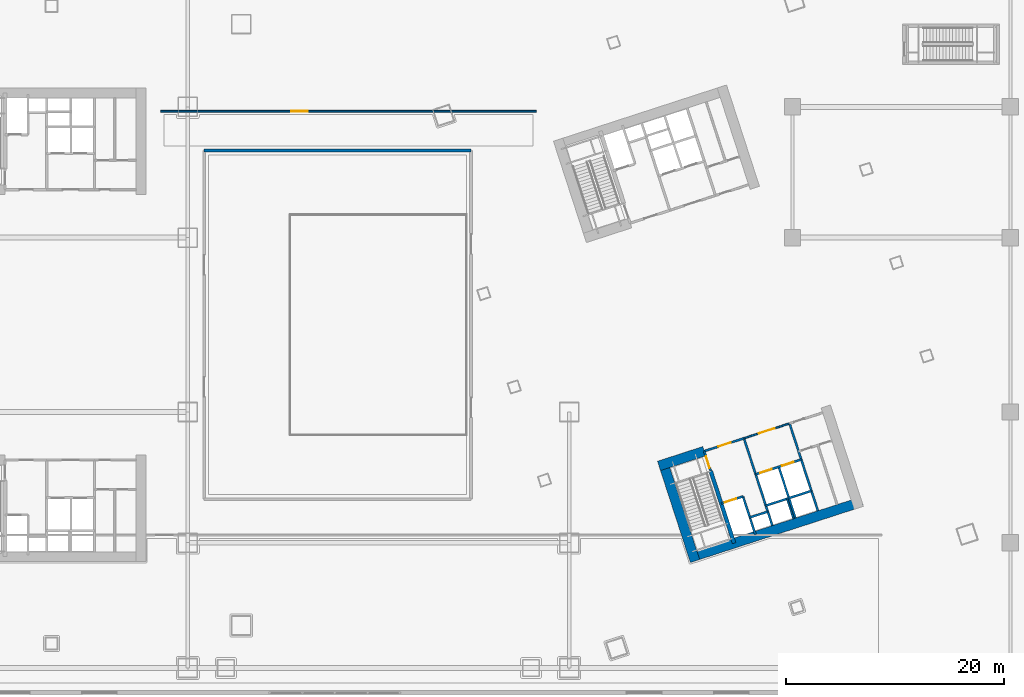
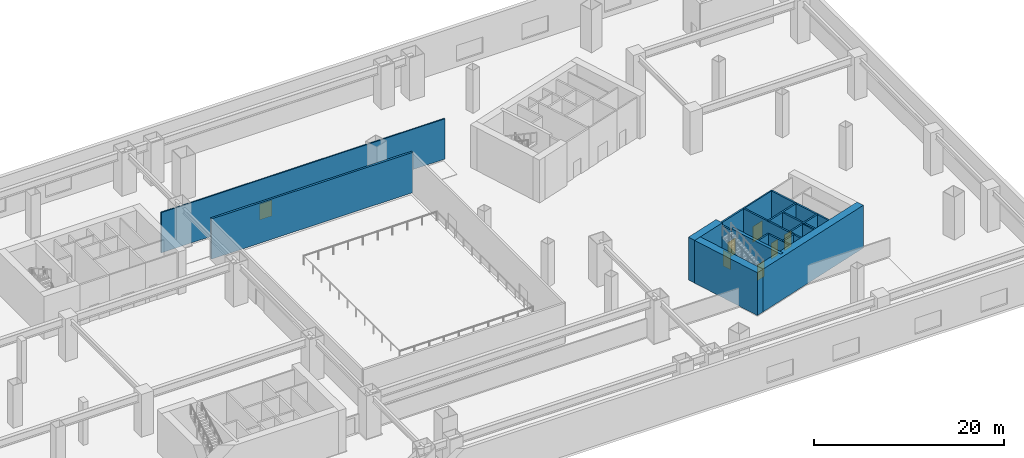
# One storey, part 26 of 35: 18 walls, 7 doors, 7 openings.
"""IFC4 building model written with IfcOpenShell, lengths in metres."""

from ifc_helpers import new_model, si_unit, direction, frame, frame_2d, origin, place, context, subcontext, project, spatial, rectangle, extrude, material, layer, layer_set, type_object, element, fill, save


model = new_model("IFC4")

# Units and contexts
model_context = context("Model", 3, precision=1e-05, world=origin(), true_north=direction((0.0, 1.0)))
body_context = subcontext(model_context, "Body", "Model", "MODEL_VIEW")
ifc_project = project(units=[si_unit("LENGTHUNIT", "METRE"), si_unit("AREAUNIT", "SQUARE_METRE"), si_unit("VOLUMEUNIT", "CUBIC_METRE"), si_unit("PLANEANGLEUNIT", "RADIAN"), si_unit("MASSUNIT", "GRAM", prefix="KILO")], contexts=[model_context])

# Site, building, storey
site_placement = place(None, origin())
site = spatial("IfcSite", under=ifc_project, at=site_placement, CompositionType="ELEMENT")
building_placement = place(site_placement, origin())
building = spatial("IfcBuilding", under=site, at=building_placement, Name="Qiaolan Cultural Towers", CompositionType="ELEMENT")
storey_placement = place(building_placement, frame((0.0, 0.0, 6.0)))
storey = spatial("IfcBuildingStorey", under=building, at=storey_placement, Name="L01", CompositionType="ELEMENT", Elevation=6.0)

# Walls
ifc_material_1 = material(Name="Concrete C50", Category="concrete")
ifc_layer_1 = layer(ifc_material_1, 0.35009765625)
ifc_layer_set_1 = layer_set([ifc_layer_1], Name="Concrete C50")
wall_type_1 = type_object("IfcWallType", Name="WL-CORE-350", PredefinedType="SHEAR", material=ifc_layer_set_1)
wall_1_placement = place(storey_placement, frame((90.486328125, 20.59423828125, 0.0), z_axis=(0.0, 0.0, 1.0), x_axis=(0.309020428229, -0.951055400562, 0.0)))
element("IfcWall", 1, at=wall_1_placement, inside=storey, type_object=wall_type_1, Name="L01 T2-CS Stair Core Dividing Web", PredefinedType="SHEAR", context=body_context, shape_type="SweptSolid", body=[
    extrude(rectangle(XDim=6.97998046875, YDim=0.35009765625, at=frame_2d((3.489990234375, 0.0))), origin(), (0.0, 0.0, 1.0), 5.5),
])
ifc_material_2 = material(Name="Concrete C60", Category="concrete")
ifc_layer_2 = layer(ifc_material_2, 0.89990234375)
ifc_layer_set_2 = layer_set([ifc_layer_2], Name="Concrete C60")
wall_type_2 = type_object("IfcWallType", Name="WL-CORE-900", PredefinedType="SHEAR", material=ifc_layer_set_2)
wall_2_placement = place(storey_placement, frame((88.4873046875, 12.60546875, 0.0), z_axis=(0.0, 0.0, 1.0), x_axis=(0.951055016115, 0.309021611416, 0.0)))
element("IfcWall", 2, at=wall_2_placement, inside=storey, type_object=wall_type_2, Name="L01 T2-CS Outer Core Shear Wall", PredefinedType="SHEAR", context=body_context, shape_type="SweptSolid", body=[
    extrude(rectangle(XDim=16.699951171875, YDim=0.89990234375, at=frame_2d((8.35009765625, 0.0))), origin(), (0.0, 0.0, 1.0), 5.5),
])
wall_3_placement = place(storey_placement, frame((86.031982421875, 21.617919921875, 0.0), z_axis=(0.0, 0.0, 1.0), x_axis=(0.30901438634, -0.951057363693, 0.0)))
element("IfcWall", 3, at=wall_3_placement, inside=storey, type_object=wall_type_2, Name="L01 T2-CS West Core Shear Wall", PredefinedType="SHEAR", context=body_context, shape_type="SweptSolid", body=[
    extrude(rectangle(XDim=9.7802734375, YDim=0.89990234375, at=frame_2d((4.89013671875, 0.0))), origin(), (0.0, 0.0, 1.0), 5.5),
])
wall_4_placement = place(storey_placement, frame((85.7431640625, 21.05078125, 0.0), z_axis=(0.0, 0.0, 1.0), x_axis=(0.951063623806, 0.308995118848, 0.0)))
element("IfcWall", 4, at=wall_4_placement, inside=storey, type_object=wall_type_2, Name="L01 T2-CS Stair Front Shear Wall", PredefinedType="SHEAR", context=body_context, shape_type="SweptSolid", body=[
    extrude(rectangle(XDim=4.3701171875, YDim=0.89990234375, at=frame_2d((2.18505859375, 0.0))), origin(), (0.0, 0.0, 1.0), 5.5),
])

# Wall, opening, door
ifc_material_3 = material(Name="Concrete C35 Fire Wall", Category="concrete")
ifc_layer_3 = layer(ifc_material_3, 0.199951171875)
ifc_layer_set_3 = layer_set([ifc_layer_3], Name="Concrete C35 Fire Wall")
wall_type_3 = type_object("IfcWallType", Name="WL-FIRE-200", PredefinedType="PARTITIONING", material=ifc_layer_set_3)
wall_5_placement = place(storey_placement, frame((89.8994140625, 22.401123046875, 0.0), z_axis=(0.0, 0.0, 1.0), x_axis=(0.308932062672, -0.951084108086, 0.0)))
wall_5 = element("IfcWall", 5, at=wall_5_placement, inside=storey, type_object=wall_type_3, Name="L01 T2-CS Smokeproof Stair Entry Wall", PredefinedType="PARTITIONING", context=body_context, shape_type="SweptSolid", body=[
    extrude(rectangle(XDim=1.89990234375, YDim=0.199951171875, at=frame_2d((0.949951171875, 0.0))), origin(), (0.0, 0.0, 1.0), 5.18505859375),
])
opening_1_placement = place(wall_5_placement, frame((0.52001953125, 0.0, 0.0)))
opening_1 = element("IfcOpeningElement", 6, at=opening_1_placement, cuts=wall_5, Name="Opening FD-04", PredefinedType="OPENING", context=body_context, shape_type="SweptSolid", body=[
    extrude(rectangle(XDim=1.10009765625, YDim=2.050048828125, at=frame_2d((0.550048828125, 1.02490234375))), frame((0.0, 0.10986328125, 0.0), z_axis=(0.0, -1.0, 0.0), x_axis=(1.0, 0.0, 0.0)), (0.0, 0.0, 1.0), 0.219970703125),
])
ifc_material_4 = material(Name="Galvanized Steel Command Fire Door", Category="steel")
door_type_1 = type_object("IfcDoorType", Name="DR-FD90-1100", OperationType="NOTDEFINED", PredefinedType="DOOR", material=ifc_material_4)
door_1_placement = place(opening_1_placement, origin())
door_1 = element("IfcDoor", 7, at=door_1_placement, inside=storey, type_object=door_type_1, Name="L01 ST-E1 Smokeproof Stair Fire Door", OperationType="SINGLE_SWING_LEFT", OverallHeight=2.050048828125, OverallWidth=1.10009765625, PredefinedType="DOOR", context=body_context, shape_type="SweptSolid", body=[
    extrude(rectangle(XDim=1.10009765625, YDim=2.050048828125, at=frame_2d((0.550048828125, 1.02490234375))), frame((0.0, 0.02490234375, 0.0), z_axis=(0.0, -1.0, 0.0), x_axis=(1.0, 0.0, 0.0)), (0.0, 0.0, 1.0), 0.050048828125),
])
fill(opening_1, door_1)

# Wall
wall_6_placement = place(storey_placement, frame((93.541748046875, 23.584716796875, 0.0), z_axis=(0.0, 0.0, 1.0), x_axis=(0.309042196757, -0.951048327176, 0.0)))
element("IfcWall", 8, at=wall_6_placement, inside=storey, type_object=wall_type_3, Name="L01 T2-CS Firefighting Zone Wall", PredefinedType="PARTITIONING", context=body_context, shape_type="SweptSolid", body=[
    extrude(rectangle(XDim=8.429931640625, YDim=0.199951171875, at=frame_2d((4.21484375, 0.0))), origin(), (0.0, 0.0, 1.0), 5.18505859375),
])

# Wall, opening, door
wall_7_placement = place(storey_placement, frame((89.8994140625, 22.401123046875, 0.0), z_axis=(0.0, 0.0, 1.0), x_axis=(0.951046716504, 0.309047153403, 0.0)))
wall_7 = element("IfcWall", 9, at=wall_7_placement, inside=storey, type_object=wall_type_3, Name="L01 T2-CS Firefighting Lobby Front Wall", PredefinedType="PARTITIONING", context=body_context, shape_type="SweptSolid", body=[
    extrude(rectangle(XDim=3.829833984375, YDim=0.199951171875, at=frame_2d((1.9150390625, 0.0))), origin(), (0.0, 0.0, 1.0), 5.18505859375),
])
opening_2_placement = place(wall_7_placement, frame((1.35009765625, 0.0, 0.0)))
opening_2 = element("IfcOpeningElement", 10, at=opening_2_placement, cuts=wall_7, Name="Opening FD-03", PredefinedType="OPENING", context=body_context, shape_type="SweptSolid", body=[
    extrude(rectangle(XDim=1.199951171875, YDim=2.050048828125, at=frame_2d((0.60009765625, 1.02490234375))), frame((0.0, 0.10986328125, 0.0), z_axis=(0.0, -1.0, 0.0), x_axis=(1.0, 0.0, 0.0)), (0.0, 0.0, 1.0), 0.219970703125),
])
ifc_material_5 = material(Name="Galvanized Steel Smokeproof Lobby Fire Door", Category="steel")
door_type_2 = type_object("IfcDoorType", Name="DR-FD90-1200", OperationType="NOTDEFINED", PredefinedType="DOOR", material=ifc_material_5)
door_2_placement = place(opening_2_placement, origin())
door_2 = element("IfcDoor", 11, at=door_2_placement, inside=storey, type_object=door_type_2, Name="L01 FFL-E1 Firefighting Lobby Fire Door", OperationType="SINGLE_SWING_LEFT", OverallHeight=2.050048828125, OverallWidth=1.199951171875, PredefinedType="DOOR", context=body_context, shape_type="SweptSolid", body=[
    extrude(rectangle(XDim=1.199951171875, YDim=2.050048828125, at=frame_2d((0.60009765625, 1.02490234375))), frame((0.0, 0.02490234375, 0.0), z_axis=(0.0, -1.0, 0.0), x_axis=(1.0, 0.0, 0.0)), (0.0, 0.0, 1.0), 0.050048828125),
])
fill(opening_2, door_2)

wall_8_placement = place(storey_placement, frame((91.459716796875, 17.598388671875, 0.0), z_axis=(0.0, 0.0, 1.0), x_axis=(0.951062257173, 0.308999325213, 0.0)))
wall_8 = element("IfcWall", 12, at=wall_8_placement, inside=storey, type_object=wall_type_3, Name="L01 T2-CS Firefighting Shaft Front Wall", PredefinedType="PARTITIONING", context=body_context, shape_type="SweptSolid", body=[
    extrude(rectangle(XDim=2.10009765625, YDim=0.199951171875, at=frame_2d((1.050048828125, 0.0))), origin(), (0.0, 0.0, 1.0), 5.18505859375),
])
opening_3_placement = place(wall_8_placement, frame((0.35009765625, 0.0, 0.0)))
opening_3 = element("IfcOpeningElement", 13, at=opening_3_placement, cuts=wall_8, Name="Opening LD-01", PredefinedType="OPENING", context=body_context, shape_type="SweptSolid", body=[
    extrude(rectangle(XDim=1.10009765625, YDim=2.050048828125, at=frame_2d((0.550048828125, 1.02490234375))), frame((0.0, 0.10986328125, 0.0), z_axis=(0.0, -1.0, 0.0), x_axis=(1.0, 0.0, 0.0)), (0.0, 0.0, 1.0), 0.219970703125),
])
ifc_material_6 = material(Name="Brushed Stainless Steel S30408 Centre-Parting Lift Landing Door", Category="steel")
door_type_3 = type_object("IfcDoorType", Name="DR-LIFT-1100", OperationType="NOTDEFINED", PredefinedType="DOOR", material=ifc_material_6)
door_3_placement = place(opening_3_placement, origin())
door_3 = element("IfcDoor", 14, at=door_3_placement, inside=storey, type_object=door_type_3, Name="L01 FFL-E1 Firefighting Lift Landing Door", OperationType="DOUBLE_DOOR_SLIDING", OverallHeight=2.050048828125, OverallWidth=1.10009765625, PredefinedType="DOOR", context=body_context, shape_type="SweptSolid", body=[
    extrude(rectangle(XDim=1.10009765625, YDim=2.050048828125, at=frame_2d((0.550048828125, 1.02490234375))), frame((0.0, 0.02490234375, 0.0), z_axis=(0.0, -1.0, 0.0), x_axis=(1.0, 0.0, 0.0)), (0.0, 0.0, 1.0), 0.050048828125),
])
fill(opening_3, door_3)

# Walls
wall_9_placement = place(storey_placement, frame((93.45703125, 18.247314453125, 0.0), z_axis=(0.0, 0.0, 1.0), x_axis=(0.3089935693, -0.951064127245, 0.0)))
element("IfcWall", 15, at=wall_9_placement, inside=storey, type_object=wall_type_3, Name="L01 T2-CS Firefighting Hoistway East Wall", PredefinedType="PARTITIONING", context=body_context, shape_type="SweptSolid", body=[
    extrude(rectangle(XDim=3.7001953125, YDim=0.199951171875, at=frame_2d((1.85009765625, 0.0))), origin(), (0.0, 0.0, 1.0), 5.18505859375),
])
wall_10_placement = place(storey_placement, frame((94.08447265625, 16.316650390625, 0.0), z_axis=(0.0, 0.0, 1.0), x_axis=(0.951041328149, 0.309063734775, 0.0)))
element("IfcWall", 16, at=wall_10_placement, inside=storey, type_object=wall_type_3, Name="L01 T2-CS Pressurization Shaft Front Wall", PredefinedType="PARTITIONING", context=body_context, shape_type="SweptSolid", body=[
    extrude(rectangle(XDim=1.72998046875, YDim=0.199951171875, at=frame_2d((0.864990234375, 0.0))), origin(), (0.0, 0.0, 1.0), 5.18505859375),
])
wall_11_placement = place(storey_placement, frame((97.7265625, 24.9443359375, 0.0), z_axis=(0.0, 0.0, 1.0), x_axis=(0.309016001439, -0.951056838919, 0.0)))
element("IfcWall", 17, at=wall_11_placement, inside=storey, type_object=wall_type_3, Name="L01 T2-CS Lift Core East Wall", PredefinedType="PARTITIONING", context=body_context, shape_type="SweptSolid", body=[
    extrude(rectangle(XDim=8.429931640625, YDim=0.199951171875, at=frame_2d((4.21484375, 0.0))), origin(), (0.0, 0.0, 1.0), 5.18505859375),
])

# Wall, openings, doors
wall_12_placement = place(storey_placement, frame((94.6171875, 20.275146484375, 0.0), z_axis=(0.0, 0.0, 1.0), x_axis=(0.951058531764, 0.30901079133, 0.0)))
wall_12 = element("IfcWall", 18, at=wall_12_placement, inside=storey, type_object=wall_type_3, Name="L01 T2-CS Passenger Lift Shaft Front Wall", PredefinedType="PARTITIONING", context=body_context, shape_type="SweptSolid", body=[
    extrude(rectangle(XDim=4.39990234375, YDim=0.199951171875, at=frame_2d((2.199951171875, 0.0))), origin(), (0.0, 0.0, 1.0), 5.18505859375),
])
opening_4_placement = place(wall_12_placement, frame((0.449951171875, 0.0, 0.0)))
opening_4 = element("IfcOpeningElement", 19, at=opening_4_placement, cuts=wall_12, Name="Opening LD-01", PredefinedType="OPENING", context=body_context, shape_type="SweptSolid", body=[
    extrude(rectangle(XDim=1.10009765625, YDim=2.050048828125, at=frame_2d((0.550048828125, 1.02490234375))), frame((0.0, 0.10986328125, 0.0), z_axis=(0.0, -1.0, 0.0), x_axis=(1.0, 0.0, 0.0)), (0.0, 0.0, 1.0), 0.219970703125),
])
opening_5_placement = place(wall_12_placement, frame((2.550048828125, 0.0, 0.0)))
opening_5 = element("IfcOpeningElement", 20, at=opening_5_placement, cuts=wall_12, Name="Opening LD-01", PredefinedType="OPENING", context=body_context, shape_type="SweptSolid", body=[
    extrude(rectangle(XDim=1.10009765625, YDim=2.050048828125, at=frame_2d((0.550048828125, 1.02490234375))), frame((0.0, 0.10986328125, 0.0), z_axis=(0.0, -1.0, 0.0), x_axis=(1.0, 0.0, 0.0)), (0.0, 0.0, 1.0), 0.219970703125),
])
door_4_placement = place(opening_4_placement, origin())
door_4 = element("IfcDoor", 21, at=door_4_placement, inside=storey, type_object=door_type_3, Name="L01 Passenger Lift 1 Landing Door", OperationType="DOUBLE_DOOR_SLIDING", OverallHeight=2.050048828125, OverallWidth=1.10009765625, PredefinedType="DOOR", context=body_context, shape_type="SweptSolid", body=[
    extrude(rectangle(XDim=1.10009765625, YDim=2.050048828125, at=frame_2d((0.550048828125, 1.02490234375))), frame((0.0, 0.02490234375, 0.0), z_axis=(0.0, -1.0, 0.0), x_axis=(1.0, 0.0, 0.0)), (0.0, 0.0, 1.0), 0.050048828125),
])
fill(opening_4, door_4)
door_5_placement = place(opening_5_placement, origin())
door_5 = element("IfcDoor", 22, at=door_5_placement, inside=storey, type_object=door_type_3, Name="L01 Passenger Lift 2 Landing Door", OperationType="DOUBLE_DOOR_SLIDING", OverallHeight=2.050048828125, OverallWidth=1.10009765625, PredefinedType="DOOR", context=body_context, shape_type="SweptSolid", body=[
    extrude(rectangle(XDim=1.10009765625, YDim=2.050048828125, at=frame_2d((0.550048828125, 1.02490234375))), frame((0.0, 0.02490234375, 0.0), z_axis=(0.0, -1.0, 0.0), x_axis=(1.0, 0.0, 0.0)), (0.0, 0.0, 1.0), 0.050048828125),
])
fill(opening_5, door_5)

# Walls
wall_13_placement = place(storey_placement, frame((96.738037109375, 20.964111328125, 0.0), z_axis=(0.0, 0.0, 1.0), x_axis=(0.309042578481, -0.951048203135, 0.0)))
element("IfcWall", 23, at=wall_13_placement, inside=storey, type_object=wall_type_3, Name="L01 T2-CS Lift Shaft Divider Wall", PredefinedType="PARTITIONING", context=body_context, shape_type="SweptSolid", body=[
    extrude(rectangle(XDim=4.9501953125, YDim=0.199951171875, at=frame_2d((2.47509765625, 0.0))), origin(), (0.0, 0.0, 1.0), 5.18505859375),
])
wall_14_placement = place(storey_placement, frame((95.550537109375, 17.40283203125, 0.0), z_axis=(0.0, 0.0, 1.0), x_axis=(0.951058531764, 0.30901079133, 0.0)))
element("IfcWall", 24, at=wall_14_placement, inside=storey, type_object=wall_type_3, Name="L01 T2-CS Passenger Lift Shaft Back Wall", PredefinedType="PARTITIONING", context=body_context, shape_type="SweptSolid", body=[
    extrude(rectangle(XDim=4.39990234375, YDim=0.199951171875, at=frame_2d((2.199951171875, 0.0))), origin(), (0.0, 0.0, 1.0), 5.18505859375),
])
wall_15_placement = place(storey_placement, frame((44.0, 50.0, 0.0), z_axis=(0.0, 0.0, 1.0), x_axis=(1.0, 0.0, 0.0)))
element("IfcWall", 25, at=wall_15_placement, inside=storey, type_object=wall_type_3, Name="L01 Podium Partition AUD-N", PredefinedType="PARTITIONING", context=body_context, shape_type="SweptSolid", body=[
    extrude(rectangle(XDim=24.5, YDim=0.25, at=frame_2d((12.25, 0.0))), origin(), (0.0, 0.0, 1.0), 5.18505859375),
])

# Wall, opening, door
ifc_material_7 = material(Name="Autoclaved Aerated Concrete Block B06", Category="concrete")
ifc_layer_4 = layer(ifc_material_7, 0.14990234375)
ifc_layer_set_4 = layer_set([ifc_layer_4], Name="Autoclaved Aerated Concrete Block B06")
wall_type_4 = type_object("IfcWallType", Name="WL-PART-150", PredefinedType="PARTITIONING", material=ifc_layer_set_4)
wall_16_placement = place(storey_placement, frame((93.541748046875, 23.584716796875, 0.0), z_axis=(0.0, 0.0, 1.0), x_axis=(0.951063829732, 0.308994485023, 0.0)))
wall_16 = element("IfcWall", 26, at=wall_16_placement, inside=storey, type_object=wall_type_4, Name="L01 T2-CS Passenger Lift Lobby Front Wall", PredefinedType="PARTITIONING", context=body_context, shape_type="SweptSolid", body=[
    extrude(rectangle(XDim=4.400146484375, YDim=0.14990234375, at=frame_2d((2.2001953125, 0.0))), origin(), (0.0, 0.0, 1.0), 5.18505859375),
])
opening_6_placement = place(wall_16_placement, frame((1.449951171875, 0.0, 0.0)))
opening_6 = element("IfcOpeningElement", 27, at=opening_6_placement, cuts=wall_16, Name="Opening FD-05", PredefinedType="OPENING", context=body_context, shape_type="SweptSolid", body=[
    extrude(rectangle(XDim=1.5, YDim=2.050048828125, at=frame_2d((0.75, 1.02490234375))), frame((0.0, 0.0849609375, 0.0), z_axis=(0.0, -1.0, 0.0), x_axis=(1.0, 0.0, 0.0)), (0.0, 0.0, 1.0), 0.169921875),
])
ifc_material_8 = material(Name="Painted Steel Lift Lobby Fire Door", Category="steel")
door_type_4 = type_object("IfcDoorType", Name="DR-FD60-1500", OperationType="NOTDEFINED", PredefinedType="DOOR", material=ifc_material_8)
door_6_placement = place(opening_6_placement, origin())
door_6 = element("IfcDoor", 28, at=door_6_placement, inside=storey, type_object=door_type_4, Name="L01 Passenger Lift Lobby Entrance", OperationType="SINGLE_SWING_LEFT", OverallHeight=2.050048828125, OverallWidth=1.5, PredefinedType="DOOR", context=body_context, shape_type="SweptSolid", body=[
    extrude(rectangle(XDim=1.5, YDim=2.050048828125, at=frame_2d((0.75, 1.02490234375))), frame((0.0, 0.02490234375, 0.0), z_axis=(0.0, -1.0, 0.0), x_axis=(1.0, 0.0, 0.0)), (0.0, 0.0, 1.0), 0.050048828125),
])
fill(opening_6, door_6)

# Wall
wall_17_placement = place(storey_placement, frame((97.515625, 17.98876953125, 0.0), z_axis=(0.0, 0.0, 1.0), x_axis=(0.30897153969, -0.951071284217, 0.0)))
element("IfcWall", 29, at=wall_17_placement, inside=storey, type_object=wall_type_4, Name="L01 T2-CS Core Rear Split Wall", PredefinedType="PARTITIONING", context=body_context, shape_type="SweptSolid", body=[
    extrude(rectangle(XDim=1.8798828125, YDim=0.14990234375, at=frame_2d((0.93994140625, 0.0))), origin(), (0.0, 0.0, 1.0), 5.18505859375),
])

# Wall, opening, door
wall_18_placement = place(storey_placement, frame((40.0, 53.60009765625, 0.0), z_axis=(0.0, 0.0, 1.0), x_axis=(1.0, 0.0, 0.0)))
wall_18 = element("IfcWall", 30, at=wall_18_placement, inside=storey, type_object=wall_type_4, Name="L01 Podium Partition L01-NGW", PredefinedType="PARTITIONING", context=body_context, shape_type="SweptSolid", body=[
    extrude(rectangle(XDim=34.5, YDim=0.14990234375, at=frame_2d((17.25, 0.0))), origin(), (0.0, 0.0, 1.0), 5.18505859375),
])
opening_7_placement = place(wall_18_placement, frame((12.0, 0.0, 0.0)))
opening_7 = element("IfcOpeningElement", 31, at=opening_7_placement, cuts=wall_18, Name="Opening ID-01", PredefinedType="OPENING", context=body_context, shape_type="SweptSolid", body=[
    extrude(rectangle(XDim=1.5, YDim=2.050048828125, at=frame_2d((0.75, 1.02490234375))), frame((0.0, 0.0849609375, 0.0), z_axis=(0.0, -1.0, 0.0), x_axis=(1.0, 0.0, 0.0)), (0.0, 0.0, 1.0), 0.169921875),
])
ifc_material_9 = material(Name="Oak Veneer Solid-Core Double Leaf Door", Category="timber")
door_type_5 = type_object("IfcDoorType", Name="DR-INT-1500", OperationType="NOTDEFINED", PredefinedType="DOOR", material=ifc_material_9)
door_7_placement = place(opening_7_placement, origin())
door_7 = element("IfcDoor", 32, at=door_7_placement, inside=storey, type_object=door_type_5, Name="L01 North Gallery Entrance", OperationType="SINGLE_SWING_RIGHT", OverallHeight=2.050048828125, OverallWidth=1.5, PredefinedType="DOOR", context=body_context, shape_type="SweptSolid", body=[
    extrude(rectangle(XDim=1.5, YDim=2.050048828125, at=frame_2d((0.75, 1.02490234375))), frame((0.0, 0.02490234375, 0.0), z_axis=(0.0, -1.0, 0.0), x_axis=(1.0, 0.0, 0.0)), (0.0, 0.0, 1.0), 0.050048828125),
])
fill(opening_7, door_7)

save(model, "model.ifc")
